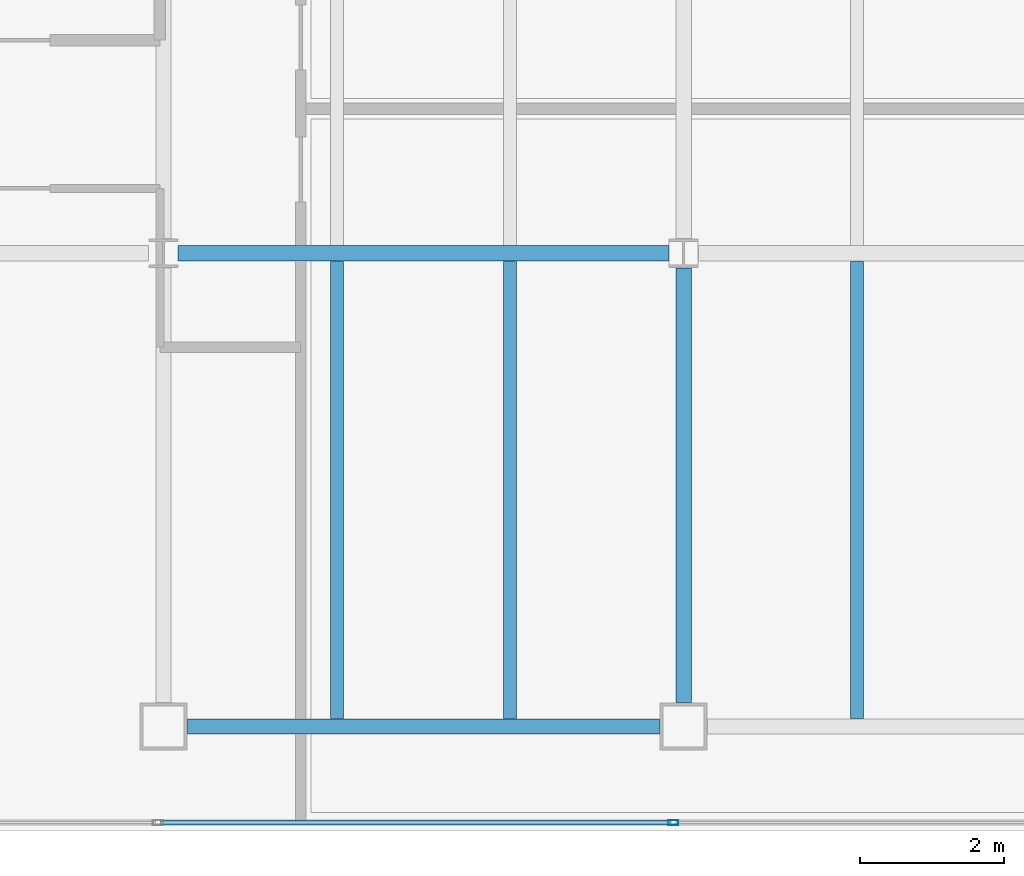
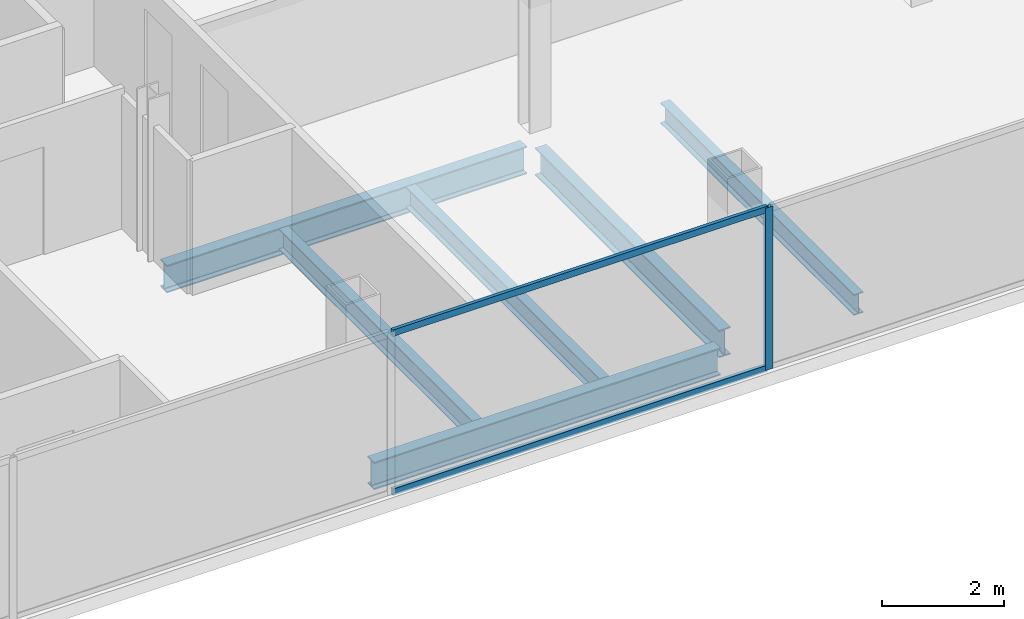
# One storey, part 6 of 23: 6 beams, 3 members, 1 element without a shape of its own.
"""IFC4 building model written with IfcOpenShell, lengths in metres."""

from ifc_helpers import new_model, si_unit, direction, frame, origin, origin_2d, place, context, subcontext, project, spatial, hollow_rectangle, i_section, extrude, material, material_profile, profile_set, type_object, element, aggregate, save


model = new_model("IFC4")

# Units and contexts
model_context = context("Model", 3, precision=1e-05, world=origin(), true_north=direction((0.0, 1.0)))
body_context = subcontext(model_context, "Body", "Model", "MODEL_VIEW")
ifc_project = project(units=[si_unit("LENGTHUNIT", "METRE"), si_unit("AREAUNIT", "SQUARE_METRE"), si_unit("VOLUMEUNIT", "CUBIC_METRE"), si_unit("PLANEANGLEUNIT", "RADIAN"), si_unit("MASSUNIT", "GRAM", prefix="KILO")], contexts=[model_context])

# Site, building, storey
site_placement = place(None, origin())
site = spatial("IfcSite", under=ifc_project, at=site_placement, CompositionType="ELEMENT")
building_placement = place(site_placement, origin())
building = spatial("IfcBuilding", under=site, at=building_placement, Name="Cobrela Telecom Tower", CompositionType="ELEMENT")
storey_placement = place(building_placement, frame((0.0, 0.0, 251.64990234375)))
storey = spatial("IfcBuildingStorey", under=building, at=storey_placement, Name="L65", CompositionType="ELEMENT", Elevation=251.64990234375)

# Beams
ifc_material_1 = material(Name="Steel ASTM A992 Grade 50", Category="steel")
ifc_material_profile_1 = material_profile(ifc_material_1, i_section(OverallWidth=0.212890625, OverallDepth=0.549072265625, WebThickness=0.0146484375, FlangeThickness=0.023681640625, FilletRadius=0.013916015625, at=origin_2d()), Name="W21X93")
ifc_profile_set_1 = profile_set([ifc_material_profile_1], Name="Steel ASTM A992 Grade 50")
beam_type_1 = type_object("IfcBeamType", Name="BM-GIRD-08", PredefinedType="USERDEFINED", material=ifc_profile_set_1)
beam_1_placement = place(storey_placement, frame((21.929931640625, 7.85009765625, -0.534423828125), z_axis=(1.0, 0.0, 0.0), x_axis=(0.0, 1.0, 0.0)))
element("IfcBeam", 1, at=beam_1_placement, inside=storey, type_object=beam_type_1, Name="L65 Primary Girder X03", ObjectType="GIRDER", PredefinedType="USERDEFINED", context=body_context, shape_type="SweptSolid", body=[
    extrude(i_section(OverallWidth=0.212890625, OverallDepth=0.549072265625, WebThickness=0.0146484375, FlangeThickness=0.023681640625, FilletRadius=0.013916015625, at=origin_2d()), origin(), (0.0, 0.0, 1.0), 6.5400390625),
])
beam_2_placement = place(storey_placement, frame((21.804443359375, 14.39990234375, -0.534423828125), z_axis=(1.0, 0.0, 0.0), x_axis=(0.0, 1.0, 0.0)))
element("IfcBeam", 2, at=beam_2_placement, inside=storey, type_object=beam_type_1, Name="L65 Primary Girder X06", ObjectType="GIRDER", PredefinedType="USERDEFINED", context=body_context, shape_type="SweptSolid", body=[
    extrude(i_section(OverallWidth=0.212890625, OverallDepth=0.549072265625, WebThickness=0.0146484375, FlangeThickness=0.023681640625, FilletRadius=0.013916015625, at=origin_2d()), origin(), (0.0, 0.0, 1.0), 6.791015625),
])
beam_3_placement = place(storey_placement, frame((28.800048828125, 8.179931640625, -0.534423828125), z_axis=(0.0, 1.0, 0.0), x_axis=(-1.0, 0.0, 0.0)))
element("IfcBeam", 3, at=beam_3_placement, inside=storey, type_object=beam_type_1, Name="L65 Primary Girder Y29", ObjectType="GIRDER", PredefinedType="USERDEFINED", context=body_context, shape_type="SweptSolid", body=[
    extrude(i_section(OverallWidth=0.212890625, OverallDepth=0.549072265625, WebThickness=0.0146484375, FlangeThickness=0.023681640625, FilletRadius=0.013916015625, at=origin_2d()), origin(), (0.0, 0.0, 1.0), 6.015625),
])
ifc_material_profile_2 = material_profile(ifc_material_1, i_section(OverallWidth=0.179931640625, OverallDepth=0.4169921875, WebThickness=0.010986328125, FlangeThickness=0.01806640625, FilletRadius=0.011962890625, at=origin_2d()), Name="W16X57")
ifc_profile_set_2 = profile_set([ifc_material_profile_2], Name="Steel ASTM A992 Grade 50")
beam_type_2 = type_object("IfcBeamType", Name="BM-JOIST-04", PredefinedType="JOIST", material=ifc_profile_set_2)
for number, where, z_axis, x_axis, name in (
    (4, (24.0, 7.96142578125, -0.468505859375), (0.0, 1.0, 0.0), (-1.0, 0.0, 0.0), "L65 Secondary Composite Floor Beam J07"),
    (5, (26.39990234375, 7.96142578125, -0.468505859375), (0.0, 1.0, 0.0), (-1.0, 0.0, 0.0), "L65 Secondary Composite Floor Beam J09"),
    (6, (31.199951171875, 7.96142578125, -0.468505859375), (0.0, 1.0, 0.0), (-1.0, 0.0, 0.0), "L65 Secondary Composite Floor Beam J11"),
):
    element("IfcBeam", number, at=place(storey_placement, frame(where, z_axis=z_axis, x_axis=x_axis)), inside=storey, type_object=beam_type_2, Name=name, PredefinedType="JOIST", context=body_context, shape_type="SweptSolid", body=[
        extrude(i_section(OverallWidth=0.179931640625, OverallDepth=0.4169921875, WebThickness=0.010986328125, FlangeThickness=0.01806640625, FilletRadius=0.011962890625, at=origin_2d()), origin(), (0.0, 0.0, 1.0), 6.3271484375),
    ])

# Curtain wall, members
ifc_material_2 = material(Name="Anodized Bronze Aluminium 6063-T6", Category="aluminium")
curtain_wall_type = type_object("IfcCurtainWallType", Name="CW-SYS-OFF-HI", PredefinedType="USERDEFINED", material=ifc_material_2)
curtain_wall_placement = place(storey_placement, origin())
curtain_wall = element("IfcCurtainWall", 7, at=curtain_wall_placement, inside=storey, type_object=curtain_wall_type, Name="L65 Unitised Bronze Curtain Wall 15", ObjectType="UNITISED CURTAIN WALL", PredefinedType="USERDEFINED")
ifc_material_profile_3 = material_profile(ifc_material_2, hollow_rectangle(XDim=0.070068359375, YDim=0.139892578125, WallThickness=0.00390625, at=origin_2d()), Name="ALU 70x140x4")
ifc_profile_set_3 = profile_set([ifc_material_profile_3], Name="Anodized Bronze Aluminium 6063-T6")
member_type_1 = type_object("IfcMemberType", Name="CW-SYS-OFF-HI-MUL", PredefinedType="MULLION", material=ifc_profile_set_3)
member_1_placement = place(storey_placement, frame((28.659912109375, 6.52001953125, 0.0), z_axis=(0.0, 0.0, 1.0), x_axis=(0.0, -1.0, 0.0)))
member_1 = element("IfcMember", 8, at=member_1_placement, type_object=member_type_1, Name="CW-OFF-HI mullion 3", PredefinedType="MULLION", context=body_context, shape_type="SweptSolid", body=[
    extrude(hollow_rectangle(XDim=0.070068359375, YDim=0.139892578125, WallThickness=0.00390625, at=origin_2d()), origin(), (0.0, 0.0, 1.0), 3.239990234375),
])
ifc_material_profile_4 = material_profile(ifc_material_2, hollow_rectangle(XDim=0.06494140625, YDim=0.1298828125, WallThickness=0.00390625, at=origin_2d()), Name="ALU 65x130x4")
ifc_profile_set_4 = profile_set([ifc_material_profile_4], Name="Anodized Bronze Aluminium 6063-T6")
member_type_2 = type_object("IfcMemberType", Name="CW-SYS-OFF-HI-TRN", PredefinedType="USERDEFINED", material=ifc_profile_set_4)
member_2_placement = place(storey_placement, frame((28.625, 6.52001953125, 0.03271484375), z_axis=(-1.0, 0.0, 0.0), x_axis=(0.0, -1.0, 0.0)))
member_2 = element("IfcMember", 9, at=member_2_placement, type_object=member_type_2, Name="CW-OFF-HI transom 3.1", ObjectType="TRANSOM", PredefinedType="USERDEFINED", context=body_context, shape_type="SweptSolid", body=[
    extrude(hollow_rectangle(XDim=0.06494140625, YDim=0.1298828125, WallThickness=0.00390625, at=origin_2d()), origin(), (0.0, 0.0, 1.0), 7.06494140625),
])
member_3_placement = place(storey_placement, frame((28.625, 6.52001953125, 3.20751953125), z_axis=(-1.0, 0.0, 0.0), x_axis=(0.0, -1.0, 0.0)))
member_3 = element("IfcMember", 10, at=member_3_placement, type_object=member_type_2, Name="CW-OFF-HI transom 3.2", ObjectType="TRANSOM", PredefinedType="USERDEFINED", context=body_context, shape_type="SweptSolid", body=[
    extrude(hollow_rectangle(XDim=0.06494140625, YDim=0.1298828125, WallThickness=0.00390625, at=origin_2d()), origin(), (0.0, 0.0, 1.0), 7.06494140625),
])
aggregate(curtain_wall, [member_1, member_2, member_3])

save(model, "model.ifc")
